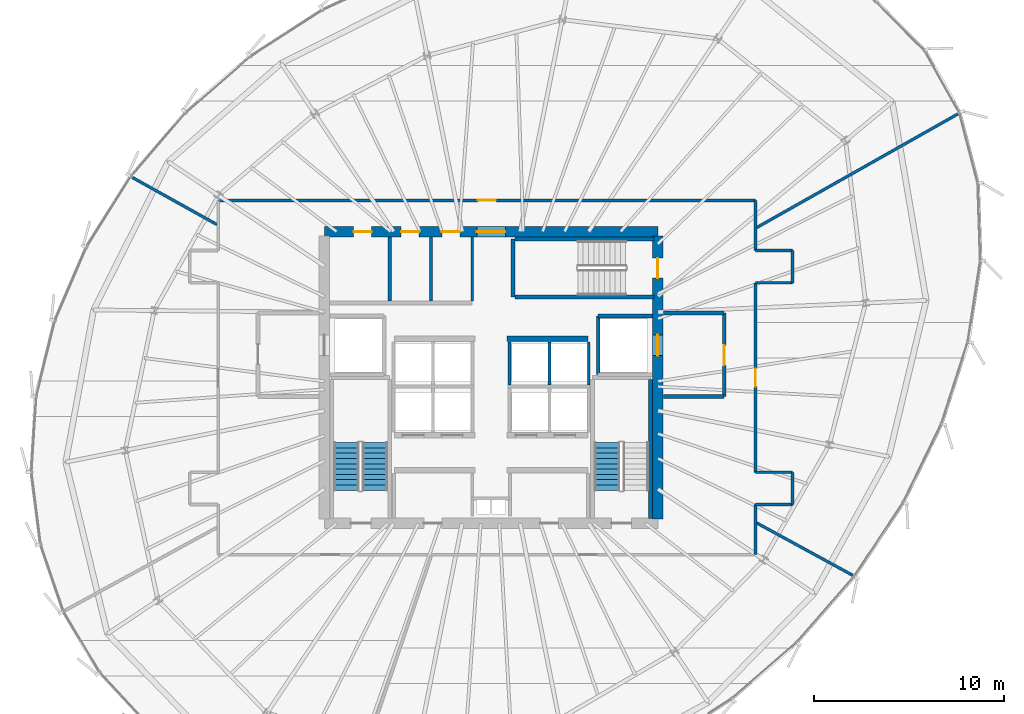
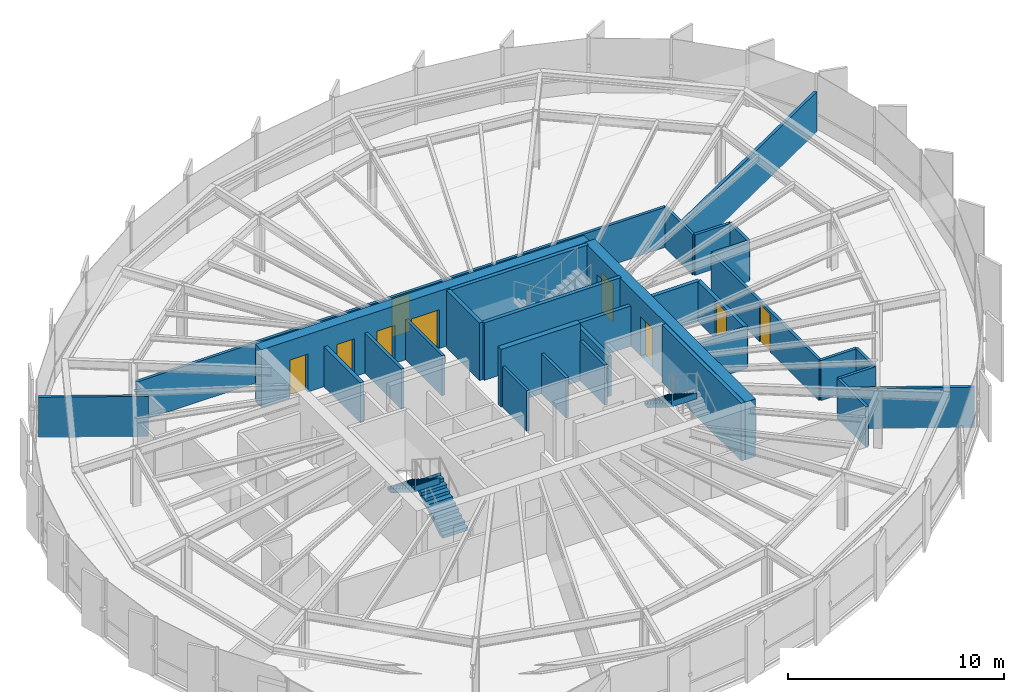
# One storey, part 30 of 34: 31 walls, 9 doors, 3 stair flights, 9 openings, 2 elements without a shape of their own.
"""IFC4 building model written with IfcOpenShell, lengths in metres."""

from ifc_helpers import new_model, si_unit, direction, frame, frame_2d, origin, place, context, subcontext, project, spatial, polyline, rectangle, outline, extrude, source, transform, mapped, material, layer, layer_set, type_object, element, fill, aggregate, save


model = new_model("IFC4")

# Units and contexts
model_context = context("Model", 3, precision=1e-05, world=origin(), true_north=direction((0.0, 1.0)))
body_context = subcontext(model_context, "Body", "Model", "MODEL_VIEW")
ifc_project = project(units=[si_unit("LENGTHUNIT", "METRE"), si_unit("AREAUNIT", "SQUARE_METRE"), si_unit("VOLUMEUNIT", "CUBIC_METRE"), si_unit("PLANEANGLEUNIT", "RADIAN"), si_unit("MASSUNIT", "GRAM", prefix="KILO"), si_unit("THERMODYNAMICTEMPERATUREUNIT", "KELVIN")], contexts=[model_context])

# Site, building, storey
site_placement = place(None, origin())
site = spatial("IfcSite", under=ifc_project, at=site_placement, CompositionType="ELEMENT")
building_placement = place(site_placement, origin())
building = spatial("IfcBuilding", under=site, at=building_placement, Name="Kethvar Cultural Tower", CompositionType="ELEMENT")
storey_placement = place(building_placement, frame((0.0, 0.0, 183.39990234375)))
storey = spatial("IfcBuildingStorey", under=building, at=storey_placement, Name="L47", CompositionType="ELEMENT", Elevation=183.39990234375)

# Wall, openings, doors
ifc_material_1 = material(Name="Concrete C60/75", Category="concrete")
ifc_layer_1 = layer(ifc_material_1, 0.550048828125, Name="Concrete C60/75", Category="concrete")
ifc_layer_set_1 = layer_set([ifc_layer_1], Name="Concrete C60/75 (550 mm)")
wall_type_1 = type_object("IfcWallType", Name="WL-CORE-550", PredefinedType="SHEAR", material=ifc_layer_set_1)
wall_1_placement = place(storey_placement, frame((55.60009765625, 35.5, 0.0), z_axis=(0.0, 0.0, 1.0), x_axis=(-1.0, 0.0, 0.0)))
wall_1 = element("IfcWall", 1, at=wall_1_placement, inside=storey, type_object=wall_type_1, Name="L47 Core Shear Wall N", PredefinedType="SHEAR", context=body_context, shape_type="SweptSolid", body=[
    extrude(rectangle(XDim=17.60009765625, YDim=0.550048828125, at=frame_2d((8.800048828125, 0.0))), origin(), (0.0, 0.0, 1.0), 3.260009765625),
])
opening_1_placement = place(wall_1_placement, frame((8.050048828125, 0.0, 0.0)))
opening_1 = element("IfcOpeningElement", 2, at=opening_1_placement, cuts=wall_1, Name="Opening D-L47-LN", PredefinedType="OPENING", context=body_context, shape_type="SweptSolid", body=[
    extrude(rectangle(XDim=1.5, YDim=2.199951171875, at=frame_2d((0.75, 1.10009765625))), frame((0.0, 0.284912109375, 0.0), z_axis=(0.0, -1.0, 0.0), x_axis=(1.0, 0.0, 0.0)), (0.0, 0.0, 1.0), 0.570068359375),
])
opening_2_placement = place(wall_1_placement, frame((15.10009765625, 0.0, 0.0)))
opening_2 = element("IfcOpeningElement", 3, at=opening_2_placement, cuts=wall_1, Name="Opening D-L47-E1", PredefinedType="OPENING", context=body_context, shape_type="SweptSolid", body=[
    extrude(rectangle(XDim=0.949951171875, YDim=2.14990234375, at=frame_2d((0.47509765625, 1.074951171875))), frame((0.0, 0.284912109375, 0.0), z_axis=(0.0, -1.0, 0.0), x_axis=(1.0, 0.0, 0.0)), (0.0, 0.0, 1.0), 0.570068359375),
])
opening_3_placement = place(wall_1_placement, frame((12.60009765625, 0.0, 0.0)))
opening_3 = element("IfcOpeningElement", 4, at=opening_3_placement, cuts=wall_1, Name="Opening D-L47-W1", PredefinedType="OPENING", context=body_context, shape_type="SweptSolid", body=[
    extrude(rectangle(XDim=0.949951171875, YDim=2.14990234375, at=frame_2d((0.47509765625, 1.074951171875))), frame((0.0, 0.284912109375, 0.0), z_axis=(0.0, -1.0, 0.0), x_axis=(1.0, 0.0, 0.0)), (0.0, 0.0, 1.0), 0.570068359375),
])
opening_4_placement = place(wall_1_placement, frame((10.449951171875, 0.0, 0.0)))
opening_4 = element("IfcOpeningElement", 5, at=opening_4_placement, cuts=wall_1, Name="Opening D-L47-W2", PredefinedType="OPENING", context=body_context, shape_type="SweptSolid", body=[
    extrude(rectangle(XDim=0.949951171875, YDim=2.14990234375, at=frame_2d((0.47509765625, 1.074951171875))), frame((0.0, 0.284912109375, 0.0), z_axis=(0.0, -1.0, 0.0), x_axis=(1.0, 0.0, 0.0)), (0.0, 0.0, 1.0), 0.570068359375),
])
ifc_material_2 = material(Name="Architectural Oak Timber", Category="wood")
door_type_1 = type_object("IfcDoorType", Name="DR-DBL-FD60-1500", OperationType="DOUBLE_DOOR_SINGLE_SWING", PredefinedType="DOOR", material=ifc_material_2)
shared_shape_1 = source(origin(), body_context, "Body", "SweptSolid", [
    extrude(rectangle(XDim=1.5, YDim=2.199951171875, at=frame_2d((0.75, 1.10009765625))), frame((0.0, 0.02490234375, 0.0), z_axis=(0.0, -1.0, 0.0), x_axis=(1.0, 0.0, 0.0)), (0.0, 0.0, 1.0), 0.050048828125),
])
door_1_placement = place(opening_1_placement, origin())
door_1 = element("IfcDoor", 6, at=door_1_placement, inside=storey, type_object=door_type_1, Name="L47 Lift Lobby Concourse Door", OperationType="DOUBLE_DOOR_SINGLE_SWING", OverallHeight=2.199951171875, OverallWidth=1.5, PredefinedType="DOOR", context=body_context, shape_type="MappedRepresentation", body=[
    mapped(shared_shape_1, transform((0.0, 0.0, 0.0), scale=1.0)),
])
fill(opening_1, door_1)
door_type_2 = type_object("IfcDoorType", Name="DR-FD30-950", OperationType="NOTDEFINED", PredefinedType="DOOR", material=ifc_material_2)
shared_shape_2 = source(origin(), body_context, "Body", "SweptSolid", [
    extrude(rectangle(XDim=0.949951171875, YDim=2.14990234375, at=frame_2d((0.47509765625, 1.074951171875))), frame((0.0, 0.02490234375, 0.0), z_axis=(0.0, -1.0, 0.0), x_axis=(1.0, 0.0, 0.0)), (0.0, 0.0, 1.0), 0.050048828125),
])
door_2_placement = place(opening_2_placement, origin())
door_2 = element("IfcDoor", 7, at=door_2_placement, inside=storey, type_object=door_type_2, Name="L47 Electrical Switchgear Door", OperationType="SINGLE_SWING_RIGHT", OverallHeight=2.14990234375, OverallWidth=0.949951171875, PredefinedType="DOOR", context=body_context, shape_type="MappedRepresentation", body=[
    mapped(shared_shape_2, transform((0.0, 0.0, 0.0), scale=1.0)),
])
fill(opening_2, door_2)
door_3_placement = place(opening_3_placement, origin())
door_3 = element("IfcDoor", 8, at=door_3_placement, inside=storey, type_object=door_type_2, Name="L47 Accessible Washroom Door", OperationType="SINGLE_SWING_LEFT", OverallHeight=2.14990234375, OverallWidth=0.949951171875, PredefinedType="DOOR", context=body_context, shape_type="MappedRepresentation", body=[
    mapped(shared_shape_2, transform((0.0, 0.0, 0.0), scale=1.0)),
])
fill(opening_3, door_3)
door_4_placement = place(opening_4_placement, origin())
door_4 = element("IfcDoor", 9, at=door_4_placement, inside=storey, type_object=door_type_2, Name="L47 Public Washroom Door", OperationType="SINGLE_SWING_RIGHT", OverallHeight=2.14990234375, OverallWidth=0.949951171875, PredefinedType="DOOR", context=body_context, shape_type="MappedRepresentation", body=[
    mapped(shared_shape_2, transform((0.0, 0.0, 0.0), scale=1.0)),
])
fill(opening_4, door_4)

wall_2_placement = place(storey_placement, frame((55.60009765625, 20.340087890625, 0.0), z_axis=(0.0, 0.0, 1.0), x_axis=(0.0, 1.0, 0.0)))
wall_2 = element("IfcWall", 10, at=wall_2_placement, inside=storey, type_object=wall_type_1, Name="L47 Core Shear Wall E", PredefinedType="SHEAR", context=body_context, shape_type="SweptSolid", body=[
    extrude(rectangle(XDim=14.919921875, YDim=0.550048828125, at=frame_2d((7.4599609375, 0.0))), origin(), (0.0, 0.0, 1.0), 3.260009765625),
])
opening_5_placement = place(wall_2_placement, frame((12.7099609375, 0.0, 0.0)))
opening_5 = element("IfcOpeningElement", 11, at=opening_5_placement, cuts=wall_2, Name="Opening D-L47-S3", PredefinedType="OPENING", context=body_context, shape_type="SweptSolid", body=[
    extrude(rectangle(XDim=1.050048828125, YDim=2.14990234375, at=frame_2d((0.52490234375, 1.074951171875))), frame((0.0, 0.284912109375, 0.0), z_axis=(0.0, -1.0, 0.0), x_axis=(1.0, 0.0, 0.0)), (0.0, 0.0, 1.0), 0.570068359375),
])
opening_6_placement = place(wall_2_placement, frame((8.610107421875, 0.0, 0.0)))
opening_6 = element("IfcOpeningElement", 12, at=opening_6_placement, cuts=wall_2, Name="Opening LD-2", PredefinedType="OPENING", context=body_context, shape_type="SweptSolid", body=[
    extrude(rectangle(XDim=1.10009765625, YDim=2.199951171875, at=frame_2d((0.550048828125, 1.10009765625))), frame((0.0, 0.284912109375, 0.0), z_axis=(0.0, -1.0, 0.0), x_axis=(1.0, 0.0, 0.0)), (0.0, 0.0, 1.0), 0.570068359375),
])
ifc_material_3 = material(Name="Steel S355J2", Category="steel")
door_type_3 = type_object("IfcDoorType", Name="DR-FD60-1050", OperationType="NOTDEFINED", PredefinedType="DOOR", material=ifc_material_3)
shared_shape_3 = source(origin(), body_context, "Body", "SweptSolid", [
    extrude(rectangle(XDim=1.050048828125, YDim=2.14990234375, at=frame_2d((0.52490234375, 1.074951171875))), frame((0.0, 0.02490234375, 0.0), z_axis=(0.0, -1.0, 0.0), x_axis=(1.0, 0.0, 0.0)), (0.0, 0.0, 1.0), 0.050048828125),
])
door_5_placement = place(opening_5_placement, origin())
door_5 = element("IfcDoor", 13, at=door_5_placement, inside=storey, type_object=door_type_3, Name="L47 Exit Stair 3 Door", OperationType="SINGLE_SWING_LEFT", OverallHeight=2.14990234375, OverallWidth=1.050048828125, PredefinedType="DOOR", context=body_context, shape_type="MappedRepresentation", body=[
    mapped(shared_shape_3, transform((0.0, 0.0, 0.0), scale=1.0)),
])
fill(opening_5, door_5)
door_type_4 = type_object("IfcDoorType", Name="DR-LIFT-SLIDE-1100", OperationType="NOTDEFINED", PredefinedType="DOOR", material=ifc_material_3)
shared_shape_4 = source(origin(), body_context, "Body", "SweptSolid", [
    extrude(rectangle(XDim=1.10009765625, YDim=2.199951171875, at=frame_2d((0.550048828125, 1.10009765625))), frame((0.0, 0.02490234375, 0.0), z_axis=(0.0, -1.0, 0.0), x_axis=(1.0, 0.0, 0.0)), (0.0, 0.0, 1.0), 0.050048828125),
])
door_6_placement = place(opening_6_placement, origin())
door_6 = element("IfcDoor", 14, at=door_6_placement, inside=storey, type_object=door_type_4, Name="L47 Firefighting Lift Landing Door FFL-02", OperationType="SLIDING_TO_RIGHT", OverallHeight=2.199951171875, OverallWidth=1.10009765625, PredefinedType="DOOR", context=body_context, shape_type="MappedRepresentation", body=[
    mapped(shared_shape_4, transform((0.0, 0.0, 0.0), scale=1.0)),
])
fill(opening_6, door_6)

# Walls
ifc_material_4 = material(Name="Gypsum Fireboard Partition")
ifc_layer_2 = layer(ifc_material_4, 0.14990234375, Name="Gypsum Fireboard Partition")
ifc_layer_set_2 = layer_set([ifc_layer_2], Name="Gypsum Fireboard Partition (150 mm)")
wall_type_2 = type_object("IfcWallType", Name="WL-FIRE-150", PredefinedType="PARTITIONING", material=ifc_layer_set_2)
for number, where, z_axis, x_axis, name in (
    (15, (47.77490234375, 27.409912109375, 0.0), (0.0, 0.0, 1.0), (0.0, 1.0, 0.0), "L47 High-Rise Lift Shaft Concourse Wall E"),
    (16, (49.875, 27.409912109375, 0.0), (0.0, 0.0, 1.0), (0.0, 1.0, 0.0), "L47 High-Rise Lift Shaft Divider E"),
    (17, (51.949951171875, 27.409912109375, 0.0), (0.0, 0.0, 1.0), (0.0, 1.0, 0.0), "L47 High-Rise Lift Shaft Outer Wall E"),
):
    element("IfcWall", number, at=place(storey_placement, frame(where, z_axis=z_axis, x_axis=x_axis)), inside=storey, type_object=wall_type_2, Name=name, PredefinedType="PARTITIONING", context=body_context, shape_type="SweptSolid", body=[
        extrude(rectangle(XDim=2.27001953125, YDim=0.14990234375, at=frame_2d((1.135009765625, 0.0))), origin(), (0.0, 0.0, 1.0), 2.280029296875),
    ])
wall_3_placement = place(storey_placement, frame((45.800048828125, 31.85009765625, 0.0), z_axis=(0.0, 0.0, 1.0), x_axis=(0.0, 1.0, 0.0)))
element("IfcWall", 18, at=wall_3_placement, inside=storey, type_object=wall_type_2, Name="L47 Sanitary Spine Wall", PredefinedType="PARTITIONING", context=body_context, shape_type="SweptSolid", body=[
    extrude(rectangle(XDim=3.364990234375, YDim=0.14990234375, at=frame_2d((1.6826171875, 0.0))), origin(), (0.0, 0.0, 1.0), 2.280029296875),
])
wall_4_placement = place(storey_placement, frame((60.75, 18.449951171875, 0.0), z_axis=(0.0, 0.0, 1.0), x_axis=(0.0, 1.0, 0.0)))
element("IfcWall", 19, at=wall_4_placement, inside=storey, type_object=wall_type_2, Name="L47 Corridor Rated Wall E1", PredefinedType="PARTITIONING", context=body_context, shape_type="SweptSolid", body=[
    extrude(rectangle(XDim=2.650146484375, YDim=0.14990234375, at=frame_2d((1.3251953125, 0.0))), origin(), (0.0, 0.0, 1.0), 2.280029296875),
])
wall_5_placement = place(storey_placement, frame((60.75, 21.10009765625, 0.0), z_axis=(0.0, 0.0, 1.0), x_axis=(1.0, 0.0, 0.0)))
element("IfcWall", 20, at=wall_5_placement, inside=storey, type_object=wall_type_2, Name="L47 Corridor Rated Wall ESB", PredefinedType="PARTITIONING", context=body_context, shape_type="SweptSolid", body=[
    extrude(rectangle(XDim=1.949951171875, YDim=0.14990234375, at=frame_2d((0.97509765625, 0.0))), origin(), (0.0, 0.0, 1.0), 2.280029296875),
])
wall_6_placement = place(storey_placement, frame((62.699951171875, 21.10009765625, 0.0), z_axis=(0.0, 0.0, 1.0), x_axis=(0.0, 1.0, 0.0)))
element("IfcWall", 21, at=wall_6_placement, inside=storey, type_object=wall_type_2, Name="L47 Corridor Rated Wall ES", PredefinedType="PARTITIONING", context=body_context, shape_type="SweptSolid", body=[
    extrude(rectangle(XDim=1.699951171875, YDim=0.14990234375, at=frame_2d((0.85009765625, 0.0))), origin(), (0.0, 0.0, 1.0), 2.280029296875),
])
wall_7_placement = place(storey_placement, frame((62.699951171875, 22.800048828125, 0.0), z_axis=(0.0, 0.0, 1.0), x_axis=(-1.0, 0.0, 0.0)))
element("IfcWall", 22, at=wall_7_placement, inside=storey, type_object=wall_type_2, Name="L47 Corridor Rated Wall EST", PredefinedType="PARTITIONING", context=body_context, shape_type="SweptSolid", body=[
    extrude(rectangle(XDim=1.949951171875, YDim=0.14990234375, at=frame_2d((0.97509765625, 0.0))), origin(), (0.0, 0.0, 1.0), 2.280029296875),
])

# Wall, opening, door
wall_8_placement = place(storey_placement, frame((60.75, 22.800048828125, 0.0), z_axis=(0.0, 0.0, 1.0), x_axis=(0.0, 1.0, 0.0)))
wall_8 = element("IfcWall", 23, at=wall_8_placement, inside=storey, type_object=wall_type_2, Name="L47 Corridor Rated Wall EM", PredefinedType="PARTITIONING", context=body_context, shape_type="SweptSolid", body=[
    extrude(rectangle(XDim=10.0, YDim=0.14990234375, at=frame_2d((5.0, 0.0))), origin(), (0.0, 0.0, 1.0), 2.280029296875),
])
opening_7_placement = place(wall_8_placement, frame((4.52490234375, 0.0, 0.0)))
opening_7 = element("IfcOpeningElement", 24, at=opening_7_placement, cuts=wall_8, Name="Opening D-L47-03", PredefinedType="OPENING", context=body_context, shape_type="SweptSolid", body=[
    extrude(rectangle(XDim=0.949951171875, YDim=2.14990234375, at=frame_2d((0.47509765625, 1.074951171875))), frame((0.0, 0.0849609375, 0.0), z_axis=(0.0, -1.0, 0.0), x_axis=(1.0, 0.0, 0.0)), (0.0, 0.0, 1.0), 0.169921875),
])
door_7_placement = place(opening_7_placement, origin())
door_7 = element("IfcDoor", 25, at=door_7_placement, inside=storey, type_object=door_type_2, Name="L47 Curatorial Concierge Foyer 03 Door", OperationType="SINGLE_SWING_RIGHT", OverallHeight=2.14990234375, OverallWidth=0.949951171875, PredefinedType="DOOR", context=body_context, shape_type="MappedRepresentation", body=[
    mapped(shared_shape_2, transform((0.0, 0.0, 0.0), scale=1.0)),
])
fill(opening_7, door_7)

# Walls
wall_9_placement = place(storey_placement, frame((60.75, 32.800048828125, 0.0), z_axis=(0.0, 0.0, 1.0), x_axis=(1.0, 0.0, 0.0)))
element("IfcWall", 26, at=wall_9_placement, inside=storey, type_object=wall_type_2, Name="L47 Corridor Rated Wall ENB", PredefinedType="PARTITIONING", context=body_context, shape_type="SweptSolid", body=[
    extrude(rectangle(XDim=1.949951171875, YDim=0.14990234375, at=frame_2d((0.97509765625, 0.0))), origin(), (0.0, 0.0, 1.0), 2.280029296875),
])
wall_10_placement = place(storey_placement, frame((62.699951171875, 32.800048828125, 0.0), z_axis=(0.0, 0.0, 1.0), x_axis=(0.0, 1.0, 0.0)))
element("IfcWall", 27, at=wall_10_placement, inside=storey, type_object=wall_type_2, Name="L47 Corridor Rated Wall EN", PredefinedType="PARTITIONING", context=body_context, shape_type="SweptSolid", body=[
    extrude(rectangle(XDim=1.699951171875, YDim=0.14990234375, at=frame_2d((0.85009765625, 0.0))), origin(), (0.0, 0.0, 1.0), 2.280029296875),
])
wall_11_placement = place(storey_placement, frame((62.699951171875, 34.5, 0.0), z_axis=(0.0, 0.0, 1.0), x_axis=(-1.0, 0.0, 0.0)))
element("IfcWall", 28, at=wall_11_placement, inside=storey, type_object=wall_type_2, Name="L47 Corridor Rated Wall ENT", PredefinedType="PARTITIONING", context=body_context, shape_type="SweptSolid", body=[
    extrude(rectangle(XDim=1.949951171875, YDim=0.14990234375, at=frame_2d((0.97509765625, 0.0))), origin(), (0.0, 0.0, 1.0), 2.280029296875),
])
wall_12_placement = place(storey_placement, frame((60.75, 34.5, 0.0), z_axis=(0.0, 0.0, 1.0), x_axis=(0.0, 1.0, 0.0)))
element("IfcWall", 29, at=wall_12_placement, inside=storey, type_object=wall_type_2, Name="L47 Corridor Rated Wall E2", PredefinedType="PARTITIONING", context=body_context, shape_type="SweptSolid", body=[
    extrude(rectangle(XDim=2.64990234375, YDim=0.14990234375, at=frame_2d((1.324951171875, 0.0))), origin(), (0.0, 0.0, 1.0), 2.280029296875),
])

# Wall, opening, door
wall_13_placement = place(storey_placement, frame((60.75, 37.14990234375, 0.0), z_axis=(0.0, 0.0, 1.0), x_axis=(-1.0, 0.0, 0.0)))
wall_13 = element("IfcWall", 30, at=wall_13_placement, inside=storey, type_object=wall_type_2, Name="L47 Corridor Rated Wall N", PredefinedType="PARTITIONING", context=body_context, shape_type="SweptSolid", body=[
    extrude(rectangle(XDim=28.35009765625, YDim=0.14990234375, at=frame_2d((14.175048828125, 0.0))), origin(), (0.0, 0.0, 1.0), 2.280029296875),
])
opening_8_placement = place(wall_13_placement, frame((13.699951171875, 0.0, 0.0)))
opening_8 = element("IfcOpeningElement", 31, at=opening_8_placement, cuts=wall_13, Name="Opening D-L47-04", PredefinedType="OPENING", context=body_context, shape_type="SweptSolid", body=[
    extrude(rectangle(XDim=0.949951171875, YDim=2.14990234375, at=frame_2d((0.47509765625, 1.074951171875))), frame((0.0, 0.0849609375, 0.0), z_axis=(0.0, -1.0, 0.0), x_axis=(1.0, 0.0, 0.0)), (0.0, 0.0, 1.0), 0.169921875),
])
door_8_placement = place(opening_8_placement, origin())
door_8 = element("IfcDoor", 32, at=door_8_placement, inside=storey, type_object=door_type_2, Name="L47 Security Control Room 04 Door", OperationType="SINGLE_SWING_LEFT", OverallHeight=2.14990234375, OverallWidth=0.949951171875, PredefinedType="DOOR", context=body_context, shape_type="MappedRepresentation", body=[
    mapped(shared_shape_2, transform((0.0, 0.0, 0.0), scale=1.0)),
])
fill(opening_8, door_8)

# Walls
ifc_material_5 = material(Name="Concrete C40/50", Category="concrete")
ifc_layer_3 = layer(ifc_material_5, 0.199951171875, Name="Concrete C40/50", Category="concrete")
ifc_layer_set_3 = layer_set([ifc_layer_3], Name="Concrete C40/50 (200 mm)")
wall_type_3 = type_object("IfcWallType", Name="WL-FIRE-200", PredefinedType="PARTITIONING", material=ifc_layer_set_3)
wall_14_placement = place(storey_placement, frame((52.449951171875, 27.949951171875, 0.0), z_axis=(0.0, 0.0, 1.0), x_axis=(0.0, 1.0, 0.0)))
element("IfcWall", 33, at=wall_14_placement, inside=storey, type_object=wall_type_3, Name="L47 FFL-02 Shaft Inner Wall", PredefinedType="PARTITIONING", context=body_context, shape_type="SweptSolid", body=[
    extrude(rectangle(XDim=3.10009765625, YDim=0.199951171875, at=frame_2d((1.550048828125, 0.0))), origin(), (0.0, 0.0, 1.0), 2.280029296875),
])
wall_15_placement = place(storey_placement, frame((52.449951171875, 31.050048828125, 0.0), z_axis=(0.0, 0.0, 1.0), x_axis=(1.0, 0.0, 0.0)))
element("IfcWall", 34, at=wall_15_placement, inside=storey, type_object=wall_type_3, Name="L47 FFL-02 Shaft North Wall", PredefinedType="PARTITIONING", context=body_context, shape_type="SweptSolid", body=[
    extrude(rectangle(XDim=2.864990234375, YDim=0.199951171875, at=frame_2d((1.4326171875, 0.0))), origin(), (0.0, 0.0, 1.0), 2.280029296875),
])

# Wall, opening, door
wall_16_placement = place(storey_placement, frame((59.10009765625, 26.800048828125, 0.0), z_axis=(0.0, 0.0, 1.0), x_axis=(0.0, 1.0, 0.0)))
wall_16 = element("IfcWall", 35, at=wall_16_placement, inside=storey, type_object=wall_type_3, Name="L47 Firefighting Lobby 2 Wall", PredefinedType="PARTITIONING", context=body_context, shape_type="SweptSolid", body=[
    extrude(rectangle(XDim=4.39990234375, YDim=0.199951171875, at=frame_2d((2.199951171875, 0.0))), origin(), (0.0, 0.0, 1.0), 2.280029296875),
])
opening_9_placement = place(wall_16_placement, frame((1.64990234375, 0.0, 0.0)))
opening_9 = element("IfcOpeningElement", 36, at=opening_9_placement, cuts=wall_16, Name="Opening D-L47-F2", PredefinedType="OPENING", context=body_context, shape_type="SweptSolid", body=[
    extrude(rectangle(XDim=1.050048828125, YDim=2.14990234375, at=frame_2d((0.52490234375, 1.074951171875))), frame((0.0, 0.10986328125, 0.0), z_axis=(0.0, -1.0, 0.0), x_axis=(1.0, 0.0, 0.0)), (0.0, 0.0, 1.0), 0.219970703125),
])
door_9_placement = place(opening_9_placement, origin())
door_9 = element("IfcDoor", 37, at=door_9_placement, inside=storey, type_object=door_type_3, Name="L47 Firefighting Lobby 2 Fire Door", OperationType="SINGLE_SWING_LEFT", OverallHeight=2.14990234375, OverallWidth=1.050048828125, PredefinedType="DOOR", context=body_context, shape_type="MappedRepresentation", body=[
    mapped(shared_shape_3, transform((0.0, 0.0, 0.0), scale=1.0)),
])
fill(opening_9, door_9)

# Walls
for number, where, z_axis, x_axis, name in (
    (38, (55.885009765625, 26.800048828125, 0.0), (0.0, 0.0, 1.0), (1.0, 0.0, 0.0), "L47 FF Lobby 2 South Wall"),
    (39, (55.885009765625, 31.199951171875, 0.0), (0.0, 0.0, 1.0), (1.0, 0.0, 0.0), "L47 FF Lobby 2 North Wall"),
):
    element("IfcWall", number, at=place(storey_placement, frame(where, z_axis=z_axis, x_axis=x_axis)), inside=storey, type_object=wall_type_3, Name=name, PredefinedType="PARTITIONING", context=body_context, shape_type="SweptSolid", body=[
        extrude(rectangle(XDim=3.215087890625, YDim=0.199951171875, at=frame_2d((1.607421875, 0.0))), origin(), (0.0, 0.0, 1.0), 2.280029296875),
    ])
wall_17_placement = place(storey_placement, frame((41.449951171875, 31.85009765625, 0.0), z_axis=(0.0, 0.0, 1.0), x_axis=(0.0, 1.0, 0.0)))
element("IfcWall", 40, at=wall_17_placement, inside=storey, type_object=wall_type_3, Name="L47 NW Core Pocket Wall", PredefinedType="PARTITIONING", context=body_context, shape_type="SweptSolid", body=[
    extrude(rectangle(XDim=3.364990234375, YDim=0.199951171875, at=frame_2d((1.6826171875, 0.0))), origin(), (0.0, 0.0, 1.0), 2.280029296875),
])
ifc_material_6 = material(Name="Gypsum Acoustic Partition")
ifc_layer_4 = layer(ifc_material_6, 0.14990234375, Name="Gypsum Acoustic Partition")
ifc_layer_set_4 = layer_set([ifc_layer_4], Name="Gypsum Acoustic Partition (150 mm)")
wall_type_4 = type_object("IfcWallType", Name="WL-PART-150", PredefinedType="PARTITIONING", material=ifc_layer_set_4)
wall_18_placement = place(storey_placement, frame((60.8203125, 20.12353515625, 0.0), z_axis=(0.0, 0.0, 1.0), x_axis=(0.87786316589, -0.478911538776, 0.0)))
element("IfcWall", 41, at=wall_18_placement, inside=storey, type_object=wall_type_4, Name="L47 Radial Partition Wall 03", PredefinedType="PARTITIONING", context=body_context, shape_type="SweptSolid", body=[
    extrude(rectangle(XDim=5.758544921875, YDim=0.14990234375, at=frame_2d((2.87939453125, 0.0))), origin(), (0.0, 0.0, 1.0), 2.280029296875),
])
wall_19_placement = place(storey_placement, frame((60.819580078125, 35.7158203125, 0.0), z_axis=(0.0, 0.0, 1.0), x_axis=(0.870759825279, 0.491708579019, 0.0)))
element("IfcWall", 42, at=wall_19_placement, inside=storey, type_object=wall_type_4, Name="L47 Radial Partition Wall 04", PredefinedType="PARTITIONING", context=body_context, shape_type="SweptSolid", body=[
    extrude(rectangle(XDim=12.18359375, YDim=0.14990234375, at=frame_2d((6.091796875, 0.0))), origin(), (0.0, 0.0, 1.0), 2.280029296875),
])
wall_20_placement = place(storey_placement, frame((32.330078125, 35.873291015625, 0.0), z_axis=(0.0, 0.0, 1.0), x_axis=(-0.873799869627, 0.486285705979, 0.0)))
element("IfcWall", 43, at=wall_20_placement, inside=storey, type_object=wall_type_4, Name="L47 Radial Partition Wall 05", PredefinedType="PARTITIONING", context=body_context, shape_type="SweptSolid", body=[
    extrude(rectangle(XDim=5.09423828125, YDim=0.14990234375, at=frame_2d((2.547119140625, 0.0))), origin(), (0.0, 0.0, 1.0), 2.280029296875),
])
ifc_material_7 = material(Name="Moisture-Resistant Sanitary Chase Wall")
ifc_layer_5 = layer(ifc_material_7, 0.14990234375, Name="Moisture-Resistant Sanitary Chase Wall")
ifc_layer_set_5 = layer_set([ifc_layer_5], Name="Moisture-Resistant Sanitary Chase Wall (150 mm)")
wall_type_5 = type_object("IfcWallType", Name="WL-PLUMB-150", PredefinedType="PLUMBINGWALL", material=ifc_layer_set_5)
wall_21_placement = place(storey_placement, frame((43.6201171875, 31.85009765625, 0.0), z_axis=(0.0, 0.0, 1.0), x_axis=(0.0, 1.0, 0.0)))
element("IfcWall", 44, at=wall_21_placement, inside=storey, type_object=wall_type_5, Name="L47 Sanitary Plumbing Wall", PredefinedType="PLUMBINGWALL", context=body_context, shape_type="SweptSolid", body=[
    extrude(rectangle(XDim=3.364990234375, YDim=0.14990234375, at=frame_2d((1.6826171875, 0.0))), origin(), (0.0, 0.0, 1.0), 2.280029296875),
])
ifc_material_8 = material(Name="Concrete C50/60", Category="concrete")
ifc_layer_6 = layer(ifc_material_8, 0.300048828125, Name="Concrete C50/60", Category="concrete")
ifc_layer_set_6 = layer_set([ifc_layer_6], Name="Concrete C50/60 (300 mm)")
wall_type_6 = type_object("IfcWallType", Name="WL-SHAFT-300", PredefinedType="SHEAR", material=ifc_layer_set_6)
wall_22_placement = place(storey_placement, frame((47.64990234375, 29.85009765625, 0.0), z_axis=(0.0, 0.0, 1.0), x_axis=(1.0, 0.0, 0.0)))
element("IfcWall", 45, at=wall_22_placement, inside=storey, type_object=wall_type_6, Name="L47 Core Lift Spine Wall MID3E", PredefinedType="SHEAR", context=body_context, shape_type="SweptSolid", body=[
    extrude(rectangle(XDim=4.25, YDim=0.300048828125, at=frame_2d((2.125, 0.0))), origin(), (0.0, 0.0, 1.0), 3.260009765625),
])
ifc_layer_7 = layer(ifc_material_8, 0.199951171875, Name="Concrete C50/60", Category="concrete")
ifc_layer_set_7 = layer_set([ifc_layer_7], Name="Concrete C50/60 (200 mm)")
wall_type_7 = type_object("IfcWallType", Name="WL-STSHAFT-200", PredefinedType="SHEAR", material=ifc_layer_set_7)
wall_23_placement = place(storey_placement, frame((55.2099609375, 27.699951171875, 0.0), z_axis=(0.0, 0.0, 1.0), x_axis=(0.0, -1.0, 0.0)))
element("IfcWall", 46, at=wall_23_placement, inside=storey, type_object=wall_type_7, Name="L47 ST-02 Stair Shaft Wall LEFT", PredefinedType="SHEAR", context=body_context, shape_type="SweptSolid", body=[
    extrude(rectangle(XDim=7.349853515625, YDim=0.199951171875, at=frame_2d((3.6748046875, 0.0))), origin(), (0.0, 0.0, 1.0), 3.260009765625),
])
wall_24_placement = place(storey_placement, frame((47.949951171875, 32.050048828125, 0.0), z_axis=(0.0, 0.0, 1.0), x_axis=(0.0, 1.0, 0.0)))
element("IfcWall", 47, at=wall_24_placement, inside=storey, type_object=wall_type_7, Name="L47 ST-03 Stair Shaft Wall FAR", PredefinedType="SHEAR", context=body_context, shape_type="SweptSolid", body=[
    extrude(rectangle(XDim=3.06005859375, YDim=0.199951171875, at=frame_2d((1.530029296875, 0.0))), origin(), (0.0, 0.0, 1.0), 3.260009765625),
])
for number, where, z_axis, x_axis, name in (
    (48, (48.050048828125, 35.110107421875, 0.0), (0.0, 0.0, 1.0), (1.0, 0.0, 0.0), "L47 ST-03 Stair Shaft Wall LEFT"),
    (49, (55.39990234375, 32.050048828125, 0.0), (0.0, 0.0, 1.0), (-1.0, 0.0, 0.0), "L47 ST-03 Stair Shaft Wall RIGHT"),
):
    element("IfcWall", number, at=place(storey_placement, frame(where, z_axis=z_axis, x_axis=x_axis)), inside=storey, type_object=wall_type_7, Name=name, PredefinedType="SHEAR", context=body_context, shape_type="SweptSolid", body=[
        extrude(rectangle(XDim=7.349853515625, YDim=0.199951171875, at=frame_2d((3.6748046875, 0.0))), origin(), (0.0, 0.0, 1.0), 3.260009765625),
    ])

# Stair, stair flights
stair_type = type_object("IfcStairType", Name="ST-DOGLEG-135", PredefinedType="HALF_TURN_STAIR", material=ifc_material_5)
stair_1_placement = place(storey_placement, origin())
stair_1 = element("IfcStair", 50, at=stair_1_placement, inside=storey, type_object=stair_type, Name="L47 Core Exit Stair 1", PredefinedType="HALF_TURN_STAIR")
stair_flight_type = type_object("IfcStairFlightType", Name="FL-STRAIGHT-135", PredefinedType="STRAIGHT", material=ifc_material_5)
stair_flight_1_placement = place(storey_placement, frame((40.675048828125, 21.85009765625, 0.0), z_axis=(0.0, 0.0, 1.0), x_axis=(0.0, 1.0, 0.0)))
stair_flight_1 = element("IfcStairFlight", 51, at=stair_flight_1_placement, type_object=stair_flight_type, Name="ST-01 flight 1", NumberOfRisers=10, NumberOfTreads=9, PredefinedType="STRAIGHT", RiserHeight=0.175, TreadLength=0.28, context=body_context, shape_type="SweptSolid", body=[
    extrude(outline(polyline([(-0.0009765625, -0.0009765625), (-0.0009765625, 0.175048828125), (0.280029296875, 0.175048828125), (0.280029296875, 0.35009765625), (0.56005859375, 0.35009765625), (0.56005859375, 0.52490234375), (0.840087890625, 0.52490234375), (0.840087890625, 0.699951171875), (1.1201171875, 0.699951171875), (1.1201171875, 0.875), (1.39990234375, 0.875), (1.39990234375, 1.050048828125), (1.679931640625, 1.050048828125), (1.679931640625, 1.22509765625), (1.9599609375, 1.22509765625), (1.9599609375, 1.39990234375), (2.239990234375, 1.39990234375), (2.239990234375, 1.574951171875), (2.52001953125, 1.574951171875), (2.52001953125, 1.75), (2.52099609375, 1.75), (2.52099609375, 1.398193359375), (0.28271484375, 0.0), (0.0, -0.0009765625), (-0.0009765625, -0.0009765625)])), frame((0.0, 0.675048828125, 0.0), z_axis=(0.0, -1.0, 0.0), x_axis=(1.0, 0.0, 0.0)), (0.0, 0.0, 1.0), 1.35009765625),
])
stair_flight_2_placement = place(storey_placement, frame((39.1650390625, 24.3701171875, 1.75), z_axis=(0.0, 0.0, 1.0), x_axis=(0.0, -1.0, 0.0)))
stair_flight_2 = element("IfcStairFlight", 52, at=stair_flight_2_placement, type_object=stair_flight_type, Name="ST-01 flight 2", NumberOfRisers=10, NumberOfTreads=9, PredefinedType="STRAIGHT", RiserHeight=0.175, TreadLength=0.28, context=body_context, shape_type="SweptSolid", body=[
    extrude(outline(polyline([(-0.0009765625, -0.0009765625), (-0.0009765625, 0.175048828125), (0.280029296875, 0.175048828125), (0.280029296875, 0.35009765625), (0.56005859375, 0.35009765625), (0.56005859375, 0.52490234375), (0.840087890625, 0.52490234375), (0.840087890625, 0.699951171875), (1.1201171875, 0.699951171875), (1.1201171875, 0.875), (1.39990234375, 0.875), (1.39990234375, 1.050048828125), (1.679931640625, 1.050048828125), (1.679931640625, 1.22509765625), (1.9599609375, 1.22509765625), (1.9599609375, 1.39990234375), (2.239990234375, 1.39990234375), (2.239990234375, 1.574951171875), (2.52001953125, 1.574951171875), (2.52001953125, 1.75), (2.52099609375, 1.75), (2.52099609375, 1.398193359375), (0.28271484375, 0.0), (0.0, -0.0009765625), (-0.0009765625, -0.0009765625)])), frame((0.0, 0.675048828125, 0.0), z_axis=(0.0, -1.0, 0.0), x_axis=(1.0, 0.0, 0.0)), (0.0, 0.0, 1.0), 1.35009765625),
])
aggregate(stair_1, [stair_flight_1, stair_flight_2])

# Stair, stair flight
stair_2_placement = place(storey_placement, origin())
stair_2 = element("IfcStair", 53, at=stair_2_placement, inside=storey, type_object=stair_type, Name="L47 Core Exit Stair 2", PredefinedType="HALF_TURN_STAIR")
stair_flight_3_placement = place(storey_placement, frame((52.925048828125, 24.3701171875, 1.75), z_axis=(0.0, 0.0, 1.0), x_axis=(0.0, -1.0, 0.0)))
stair_flight_3 = element("IfcStairFlight", 54, at=stair_flight_3_placement, type_object=stair_flight_type, Name="ST-02 flight 2", NumberOfRisers=10, NumberOfTreads=9, PredefinedType="STRAIGHT", RiserHeight=0.175, TreadLength=0.28, context=body_context, shape_type="SweptSolid", body=[
    extrude(outline(polyline([(-0.0009765625, -0.0009765625), (-0.0009765625, 0.175048828125), (0.280029296875, 0.175048828125), (0.280029296875, 0.35009765625), (0.56005859375, 0.35009765625), (0.56005859375, 0.52490234375), (0.840087890625, 0.52490234375), (0.840087890625, 0.699951171875), (1.1201171875, 0.699951171875), (1.1201171875, 0.875), (1.39990234375, 0.875), (1.39990234375, 1.050048828125), (1.679931640625, 1.050048828125), (1.679931640625, 1.22509765625), (1.9599609375, 1.22509765625), (1.9599609375, 1.39990234375), (2.239990234375, 1.39990234375), (2.239990234375, 1.574951171875), (2.52001953125, 1.574951171875), (2.52001953125, 1.75), (2.52099609375, 1.75), (2.52099609375, 1.398193359375), (0.28271484375, 0.0), (0.0, -0.0009765625), (-0.0009765625, -0.0009765625)])), frame((0.0, 0.675048828125, 0.0), z_axis=(0.0, -1.0, 0.0), x_axis=(1.0, 0.0, 0.0)), (0.0, 0.0, 1.0), 1.35009765625),
])
aggregate(stair_2, [stair_flight_3])

save(model, "model.ifc")
